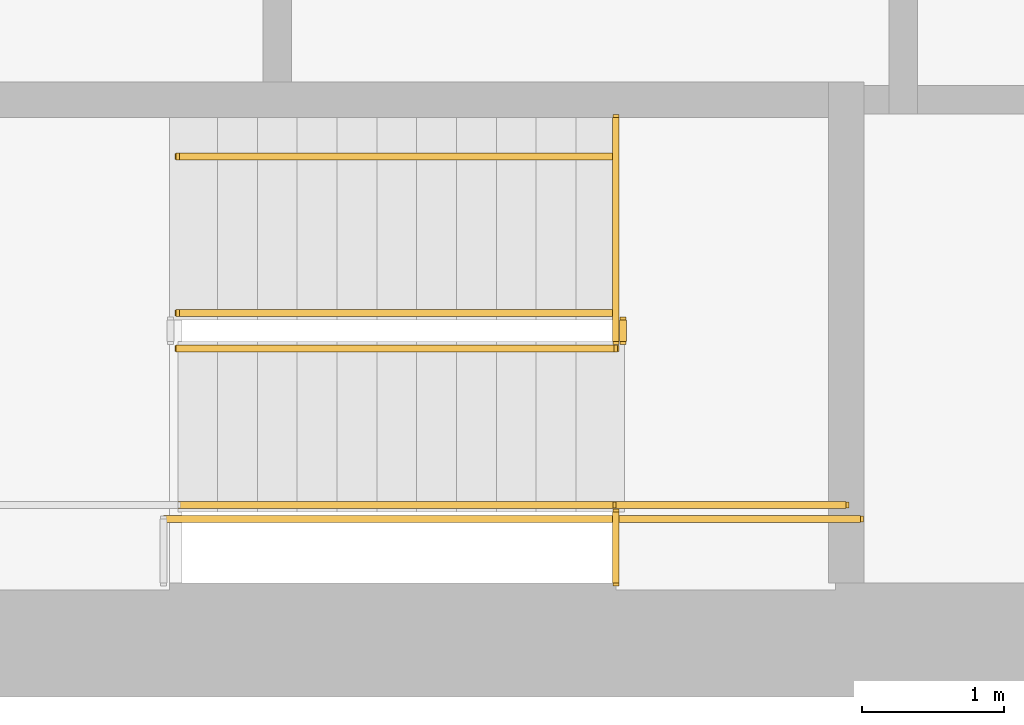
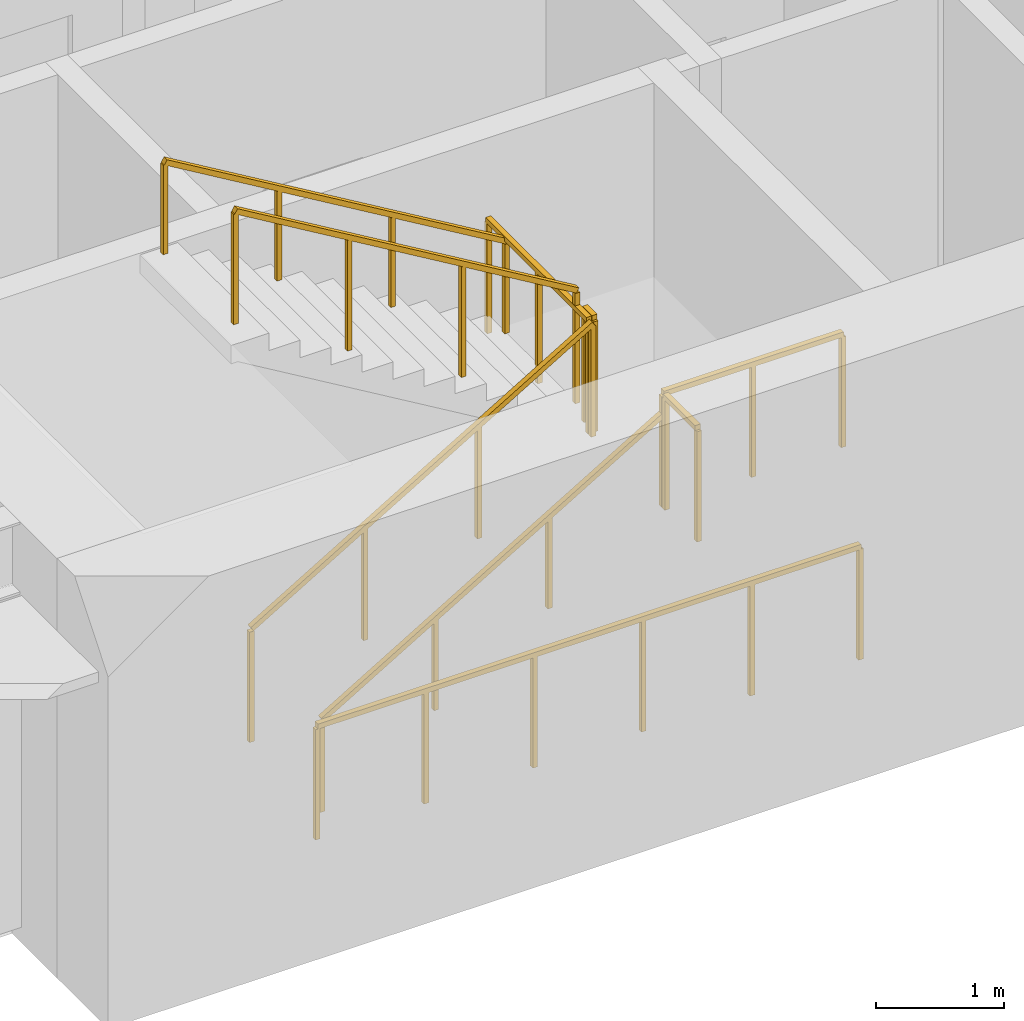
# One storey, part 10 of 12: 9 railings.
"""IFC4 building model written with IfcOpenShell, lengths in metres."""

from ifc_helpers import new_model, si_unit, direction, frame, origin, origin_2d, place, context, subcontext, project, spatial, rectangle, extrude, material, type_object, element, save


model = new_model("IFC4")

# Units and contexts
model_context = context("Model", 3, precision=1e-05, world=origin(), true_north=direction((0.0, 1.0)))
body_context = subcontext(model_context, "Body", "Model", "MODEL_VIEW")
ifc_project = project(units=[si_unit("LENGTHUNIT", "METRE"), si_unit("AREAUNIT", "SQUARE_METRE"), si_unit("VOLUMEUNIT", "CUBIC_METRE"), si_unit("PLANEANGLEUNIT", "RADIAN"), si_unit("MASSUNIT", "GRAM", prefix="KILO")], contexts=[model_context])

# Site, building, storey
site_placement = place(None, origin())
site = spatial("IfcSite", under=ifc_project, at=site_placement, CompositionType="ELEMENT")
building_placement = place(site_placement, origin())
building = spatial("IfcBuilding", under=site, at=building_placement, Name="Sennacour Bend Tower", CompositionType="ELEMENT")
storey_placement = place(building_placement, frame((0.0, 0.0, 269.0)))
storey = spatial("IfcBuildingStorey", under=building, at=storey_placement, Name="L62", CompositionType="ELEMENT", Elevation=269.0)

# Railings
ifc_material = material(Name="Stainless steel", Category="steel")
railing_type_1 = type_object("IfcRailingType", Name="RL-GUARD-1100", PredefinedType="GUARDRAIL", material=ifc_material)
railing_1_placement = place(storey_placement, frame((56.699951171875, 2.449951171875, 0.166748046875)))
element("IfcRailing", 1, at=railing_1_placement, inside=storey, type_object=railing_type_1, Name="L62 SA1 stair guard 1", PredefinedType="GUARDRAIL", context=body_context, shape_type="SweptSolid", body=[
    extrude(rectangle(XDim=0.048095703125, YDim=0.048095703125, at=origin_2d()), frame((0.0, 0.0, 1.076171875), z_axis=(0.859308565015, 0.0, 0.511457515432), x_axis=(0.0, 1.0, 0.0)), (0.0, 0.0, 1.0), 3.58447265625),
    extrude(rectangle(XDim=0.0419921875, YDim=0.0419921875, at=origin_2d()), origin(), (0.0, 0.0, 1.0), 1.052001953125),
    extrude(rectangle(XDim=0.0419921875, YDim=0.0419921875, at=origin_2d()), frame((1.026611328125, 0.0, 0.611083984375)), (0.0, 0.0, 1.0), 1.052001953125),
    extrude(rectangle(XDim=0.0419921875, YDim=0.0419921875, at=origin_2d()), frame((2.053466796875, 0.0, 1.22216796875)), (0.0, 0.0, 1.0), 1.052001953125),
    extrude(rectangle(XDim=0.0419921875, YDim=0.0419921875, at=origin_2d()), frame((3.080078125, 0.0, 1.833251953125)), (0.0, 0.0, 1.0), 1.052001953125),
])
railing_2_placement = place(storey_placement, frame((59.830078125, 2.5, 2.0)))
element("IfcRailing", 2, at=railing_2_placement, inside=storey, type_object=railing_type_1, Name="L62 SA1 stair guard 2", PredefinedType="GUARDRAIL", context=body_context, shape_type="SweptSolid", body=[
    extrude(rectangle(XDim=0.048095703125, YDim=0.048095703125, at=origin_2d()), frame((0.0, 0.0, 1.076171875), z_axis=(0.0, 1.0, 0.0), x_axis=(-1.0, 0.0, 0.0)), (0.0, 0.0, 1.0), 0.14990234375),
    extrude(rectangle(XDim=0.0419921875, YDim=0.0419921875, at=origin_2d()), origin(), (0.0, 0.0, 1.0), 1.052001953125),
    extrude(rectangle(XDim=0.0419921875, YDim=0.0419921875, at=origin_2d()), frame((0.0, 0.14990234375, 0.0)), (0.0, 0.0, 1.0), 1.052001953125),
])
railing_3_placement = place(storey_placement, frame((59.780029296875, 1.35009765625, 2.0)))
element("IfcRailing", 3, at=railing_3_placement, inside=storey, type_object=railing_type_1, Name="L62 SA1 stair guard 3", PredefinedType="GUARDRAIL", context=body_context, shape_type="SweptSolid", body=[
    extrude(rectangle(XDim=0.048095703125, YDim=0.048095703125, at=origin_2d()), frame((0.0, 0.0, 1.076171875), z_axis=(1.0, 0.0, 0.0), x_axis=(0.0, 1.0, 0.0)), (0.0, 0.0, 1.0), 1.619873046875),
    extrude(rectangle(XDim=0.0419921875, YDim=0.0419921875, at=origin_2d()), origin(), (0.0, 0.0, 1.0), 1.052001953125),
    extrude(rectangle(XDim=0.0419921875, YDim=0.0419921875, at=origin_2d()), frame((0.81005859375, 0.0, 0.0)), (0.0, 0.0, 1.0), 1.052001953125),
    extrude(rectangle(XDim=0.0419921875, YDim=0.0419921875, at=origin_2d()), frame((1.619873046875, 0.0, 0.0)), (0.0, 0.0, 1.0), 1.052001953125),
])
railing_4_placement = place(storey_placement, frame((59.780029296875, 2.699951171875, 2.166748046875)))
element("IfcRailing", 4, at=railing_4_placement, inside=storey, type_object=railing_type_1, Name="L62 SA1 stair guard 4", PredefinedType="GUARDRAIL", context=body_context, shape_type="SweptSolid", body=[
    extrude(rectangle(XDim=0.048095703125, YDim=0.048095703125, at=origin_2d()), frame((0.0, 0.0, 1.076171875), z_axis=(-0.859308565015, 0.0, 0.511457515432), x_axis=(0.0, -1.0, 0.0)), (0.0, 0.0, 1.0), 3.58447265625),
    extrude(rectangle(XDim=0.0419921875, YDim=0.0419921875, at=origin_2d()), origin(), (0.0, 0.0, 1.0), 1.052001953125),
    extrude(rectangle(XDim=0.0419921875, YDim=0.0419921875, at=origin_2d()), frame((-1.026611328125, 0.0, 0.611083984375)), (0.0, 0.0, 1.0), 1.052001953125),
    extrude(rectangle(XDim=0.0419921875, YDim=0.0419921875, at=origin_2d()), frame((-2.053466796875, 0.0, 1.22216796875)), (0.0, 0.0, 1.0), 1.052001953125),
    extrude(rectangle(XDim=0.0419921875, YDim=0.0419921875, at=origin_2d()), frame((-3.080078125, 0.0, 1.833251953125)), (0.0, 0.0, 1.0), 1.052001953125),
])
railing_5_placement = place(storey_placement, frame((56.60009765625, 1.25, 0.0)))
element("IfcRailing", 5, at=railing_5_placement, inside=storey, type_object=railing_type_1, Name="L62 SA1 stair guard 8", PredefinedType="GUARDRAIL", context=body_context, shape_type="SweptSolid", body=[
    extrude(rectangle(XDim=0.048095703125, YDim=0.048095703125, at=origin_2d()), frame((0.0, 0.0, 1.076171875), z_axis=(1.0, 0.0, 0.0), x_axis=(0.0, 1.0, 0.0)), (0.0, 0.0, 1.0), 4.89990234375),
    extrude(rectangle(XDim=0.0419921875, YDim=0.0419921875, at=origin_2d()), origin(), (0.0, 0.0, 1.0), 1.052001953125),
    extrude(rectangle(XDim=0.0419921875, YDim=0.0419921875, at=origin_2d()), frame((0.97998046875, 0.0, 0.0)), (0.0, 0.0, 1.0), 1.052001953125),
    extrude(rectangle(XDim=0.0419921875, YDim=0.0419921875, at=origin_2d()), frame((1.9599609375, 0.0, 0.0)), (0.0, 0.0, 1.0), 1.052001953125),
    extrude(rectangle(XDim=0.0419921875, YDim=0.0419921875, at=origin_2d()), frame((2.93994140625, 0.0, 0.0)), (0.0, 0.0, 1.0), 1.052001953125),
    extrude(rectangle(XDim=0.0419921875, YDim=0.0419921875, at=origin_2d()), frame((3.919921875, 0.0, 0.0)), (0.0, 0.0, 1.0), 1.052001953125),
    extrude(rectangle(XDim=0.0419921875, YDim=0.0419921875, at=origin_2d()), frame((4.89990234375, 0.0, 0.0)), (0.0, 0.0, 1.0), 1.052001953125),
])
railing_6_placement = place(storey_placement, frame((59.780029296875, 0.800048828125, 2.0)))
element("IfcRailing", 6, at=railing_6_placement, inside=storey, type_object=railing_type_1, Name="L62 SA1 landing edge guard 94", PredefinedType="GUARDRAIL", context=body_context, shape_type="SweptSolid", body=[
    extrude(rectangle(XDim=0.048095703125, YDim=0.048095703125, at=origin_2d()), frame((0.0, 0.0, 1.076171875), z_axis=(0.0, 1.0, 0.0), x_axis=(-1.0, 0.0, 0.0)), (0.0, 0.0, 1.0), 0.5),
    extrude(rectangle(XDim=0.0419921875, YDim=0.0419921875, at=origin_2d()), origin(), (0.0, 0.0, 1.0), 1.052001953125),
    extrude(rectangle(XDim=0.0419921875, YDim=0.0419921875, at=origin_2d()), frame((0.0, 0.5, 0.0)), (0.0, 0.0, 1.0), 1.052001953125),
])
railing_7_placement = place(storey_placement, frame((59.780029296875, 2.5, 2.0)))
element("IfcRailing", 7, at=railing_7_placement, inside=storey, type_object=railing_type_1, Name="L62 SA1 landing edge guard 95", PredefinedType="GUARDRAIL", context=body_context, shape_type="SweptSolid", body=[
    extrude(rectangle(XDim=0.048095703125, YDim=0.048095703125, at=origin_2d()), frame((0.0, 0.0, 1.076171875), z_axis=(0.0, 1.0, 0.0), x_axis=(-1.0, 0.0, 0.0)), (0.0, 0.0, 1.0), 1.574951171875),
    extrude(rectangle(XDim=0.0419921875, YDim=0.0419921875, at=origin_2d()), origin(), (0.0, 0.0, 1.0), 1.052001953125),
    extrude(rectangle(XDim=0.0419921875, YDim=0.0419921875, at=origin_2d()), frame((0.0, 0.78759765625, 0.0)), (0.0, 0.0, 1.0), 1.052001953125),
    extrude(rectangle(XDim=0.0419921875, YDim=0.0419921875, at=origin_2d()), frame((0.0, 1.574951171875, 0.0)), (0.0, 0.0, 1.0), 1.052001953125),
])
railing_type_2 = type_object("IfcRailingType", Name="RL-HANDRAIL-900", PredefinedType="HANDRAIL", material=ifc_material)
railing_8_placement = place(storey_placement, frame((56.699951171875, 1.35009765625, 0.166748046875)))
element("IfcRailing", 8, at=railing_8_placement, inside=storey, type_object=railing_type_2, Name="L62 SA1 stair handrail 1", PredefinedType="HANDRAIL", context=body_context, shape_type="SweptSolid", body=[
    extrude(rectangle(XDim=0.048095703125, YDim=0.048095703125, at=origin_2d()), frame((0.0, 0.0, 0.8759765625), z_axis=(0.859308565015, 0.0, 0.511457515432), x_axis=(0.0, 1.0, 0.0)), (0.0, 0.0, 1.0), 3.58447265625),
    extrude(rectangle(XDim=0.0419921875, YDim=0.0419921875, at=origin_2d()), origin(), (0.0, 0.0, 1.0), 0.851806640625),
    extrude(rectangle(XDim=0.0419921875, YDim=0.0419921875, at=origin_2d()), frame((1.026611328125, 0.0, 0.611083984375)), (0.0, 0.0, 1.0), 0.851806640625),
    extrude(rectangle(XDim=0.0419921875, YDim=0.0419921875, at=origin_2d()), frame((2.053466796875, 0.0, 1.22216796875)), (0.0, 0.0, 1.0), 0.851806640625),
    extrude(rectangle(XDim=0.0419921875, YDim=0.0419921875, at=origin_2d()), frame((3.080078125, 0.0, 1.833251953125)), (0.0, 0.0, 1.0), 0.851806640625),
])
railing_9_placement = place(storey_placement, frame((59.780029296875, 3.800048828125, 2.166748046875)))
element("IfcRailing", 9, at=railing_9_placement, inside=storey, type_object=railing_type_2, Name="L62 SA1 stair handrail 2", PredefinedType="HANDRAIL", context=body_context, shape_type="SweptSolid", body=[
    extrude(rectangle(XDim=0.048095703125, YDim=0.048095703125, at=origin_2d()), frame((0.0, 0.0, 0.8759765625), z_axis=(-0.859308565015, 0.0, 0.511457515432), x_axis=(0.0, -1.0, 0.0)), (0.0, 0.0, 1.0), 3.58447265625),
    extrude(rectangle(XDim=0.0419921875, YDim=0.0419921875, at=origin_2d()), origin(), (0.0, 0.0, 1.0), 0.851806640625),
    extrude(rectangle(XDim=0.0419921875, YDim=0.0419921875, at=origin_2d()), frame((-1.026611328125, 0.0, 0.611083984375)), (0.0, 0.0, 1.0), 0.851806640625),
    extrude(rectangle(XDim=0.0419921875, YDim=0.0419921875, at=origin_2d()), frame((-2.053466796875, 0.0, 1.22216796875)), (0.0, 0.0, 1.0), 0.851806640625),
    extrude(rectangle(XDim=0.0419921875, YDim=0.0419921875, at=origin_2d()), frame((-3.080078125, 0.0, 1.833251953125)), (0.0, 0.0, 1.0), 0.851806640625),
])

save(model, "model.ifc")
